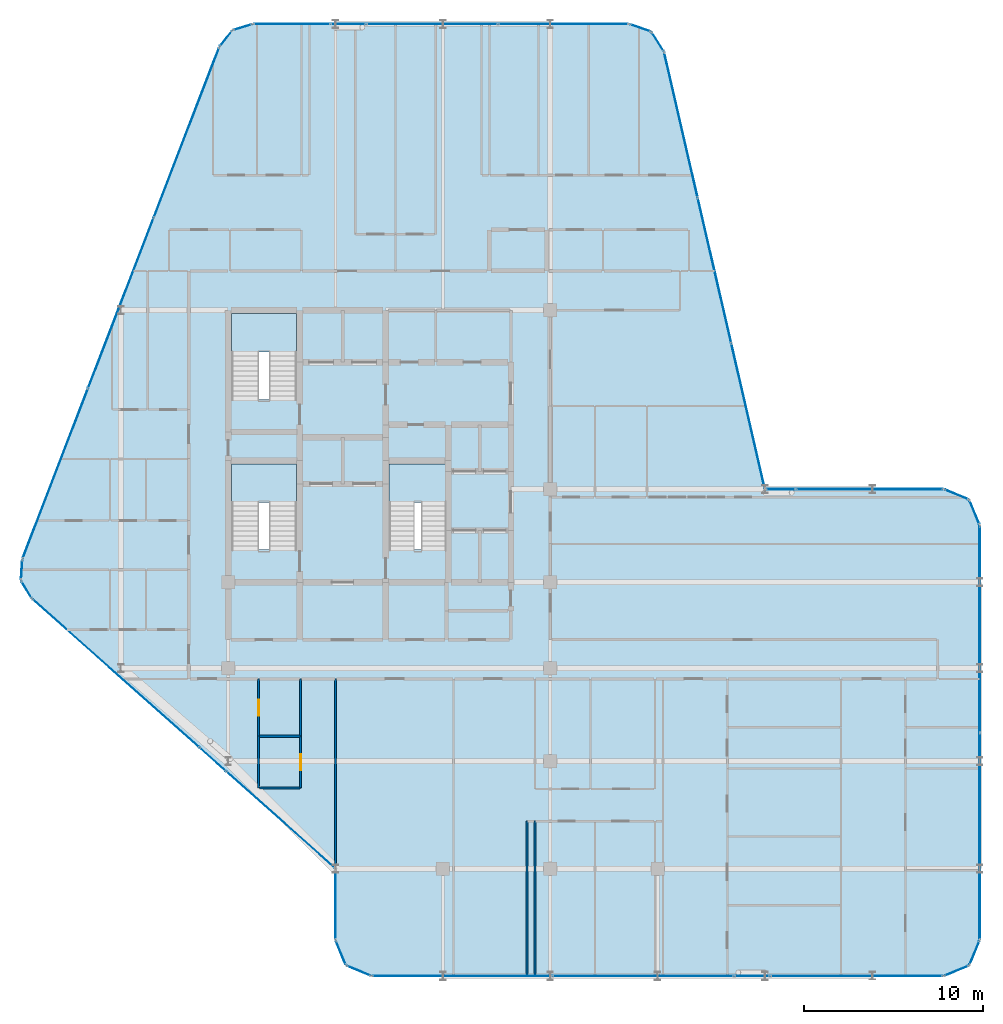
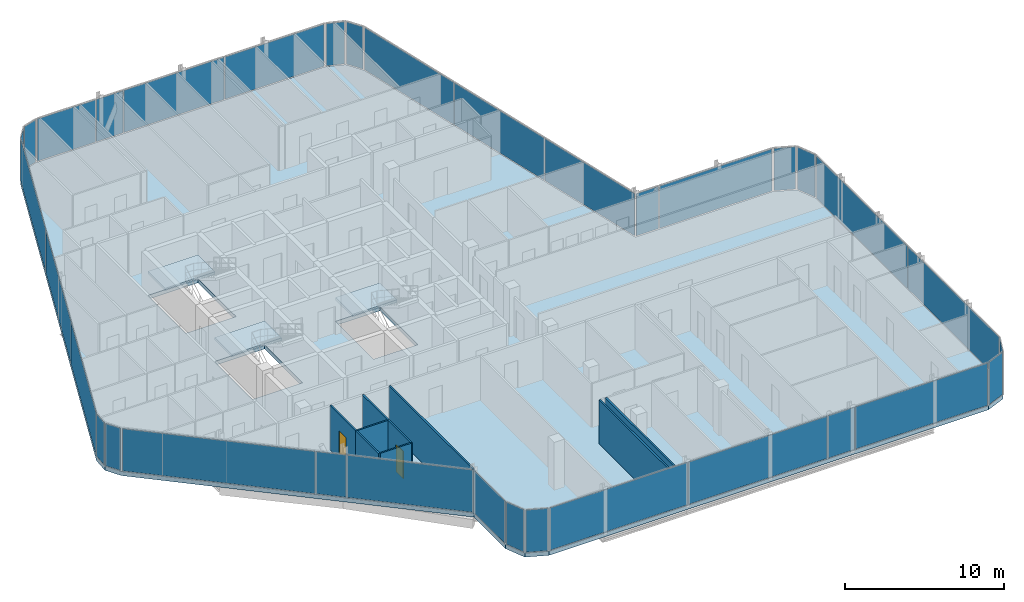
# One storey, part 22 of 29: 34 plates, 9 walls, 4 slabs, 2 doors, 2 openings, 30 elements without a shape of their own.
"""IFC4 building model written with IfcOpenShell, lengths in metres."""

from ifc_helpers import new_model, si_unit, direction, frame, frame_2d, origin, origin_2d, place, context, subcontext, project, spatial, polyline, rectangle, outline, extrude, material, layer, layer_set, type_object, element, fill, aggregate, save


model = new_model("IFC4")

# Units and contexts
model_context = context("Model", 3, precision=1e-05, world=origin(), true_north=direction((0.0, 1.0)))
body_context = subcontext(model_context, "Body", "Model", "MODEL_VIEW")
ifc_project = project(units=[si_unit("LENGTHUNIT", "METRE"), si_unit("AREAUNIT", "SQUARE_METRE"), si_unit("VOLUMEUNIT", "CUBIC_METRE"), si_unit("PLANEANGLEUNIT", "RADIAN"), si_unit("MASSUNIT", "GRAM", prefix="KILO")], contexts=[model_context])

# Site, building, storey
site_placement = place(None, origin())
site = spatial("IfcSite", under=ifc_project, at=site_placement, CompositionType="ELEMENT")
building_placement = place(site_placement, origin())
building = spatial("IfcBuilding", under=site, at=building_placement, Name="Keshet Zoharim Tower", CompositionType="ELEMENT")
storey_placement = place(building_placement, frame((0.0, 0.0, 206.89990234375)))
storey = spatial("IfcBuildingStorey", under=building, at=storey_placement, Name="L51", CompositionType="ELEMENT", Elevation=206.89990234375)

# Curtain wall, plate
ifc_material_1 = material(Name="Aluminium 6063-T6", Category="aluminium")
ifc_layer_1 = layer(ifc_material_1, 0.139892578125)
ifc_layer_set_1 = layer_set([ifc_layer_1], Name="Aluminium 6063-T6")
curtain_wall_type = type_object("IfcCurtainWallType", Name="CW-SYS-05", PredefinedType="NOTDEFINED", material=ifc_layer_set_1)
curtain_wall_1_placement = place(storey_placement, origin())
curtain_wall_1 = element("IfcCurtainWall", 1, at=curtain_wall_1_placement, inside=storey, type_object=curtain_wall_type, Name="L51 Unitised Curtain Wall 01", PredefinedType="NOTDEFINED")
ifc_material_2 = material(Name="Insulated Low-E Clear Glass", Category="glass")
ifc_layer_2 = layer(ifc_material_2, 0.031982421875)
ifc_layer_set_2 = layer_set([ifc_layer_2], Name="Insulated Low-E Clear Glass")
plate_type_1 = type_object("IfcPlateType", Name="CWP-02", PredefinedType="CURTAIN_PANEL", material=ifc_layer_set_2)
plate_1_placement = place(storey_placement, frame((55.70703125, 27.60693359375, 0.070068359375), z_axis=(0.0, 0.0, 1.0), x_axis=(0.92380975372, -0.382851849847, 0.0)))
plate_1 = element("IfcPlate", 2, at=plate_1_placement, type_object=plate_type_1, Name="CW-05 panel 1.1", PredefinedType="CURTAIN_PANEL", context=body_context, shape_type="SweptSolid", body=[
    extrude(rectangle(XDim=1.390625, YDim=0.031982421875, at=origin_2d()), origin(), (0.0, 0.0, 1.0), 3.25),
])
aggregate(curtain_wall_1, [plate_1])

curtain_wall_2_placement = place(storey_placement, origin())
curtain_wall_2 = element("IfcCurtainWall", 3, at=curtain_wall_2_placement, inside=storey, type_object=curtain_wall_type, Name="L51 Unitised Curtain Wall 02", PredefinedType="NOTDEFINED")
plate_2_placement = place(storey_placement, frame((56.70703125, 26.60693359375, 0.070068359375), z_axis=(0.0, 0.0, 1.0), x_axis=(0.382851849847, -0.92380975372, 0.0)))
plate_2 = element("IfcPlate", 4, at=plate_2_placement, type_object=plate_type_1, Name="CW-05 panel 1.1", PredefinedType="CURTAIN_PANEL", context=body_context, shape_type="SweptSolid", body=[
    extrude(rectangle(XDim=1.390625, YDim=0.031982421875, at=origin_2d()), origin(), (0.0, 0.0, 1.0), 3.25),
])
aggregate(curtain_wall_2, [plate_2])

# Curtain wall, plates
curtain_wall_3_placement = place(storey_placement, origin())
curtain_wall_3 = element("IfcCurtainWall", 5, at=curtain_wall_3_placement, inside=storey, type_object=curtain_wall_type, Name="L51 Unitised Curtain Wall 03", PredefinedType="NOTDEFINED")
plate_3_placement = place(storey_placement, frame((57.0, 20.08251953125, 0.070068359375), z_axis=(0.0, 0.0, 1.0), x_axis=(0.0, -1.0, 0.0)))
plate_3 = element("IfcPlate", 6, at=plate_3_placement, type_object=plate_type_1, Name="CW-05 panel 1.1", PredefinedType="CURTAIN_PANEL", context=body_context, shape_type="SweptSolid", body=[
    extrude(rectangle(XDim=11.4951171875, YDim=0.031982421875, at=origin_2d()), origin(), (0.0, 0.0, 1.0), 3.25),
])
plate_4_placement = place(storey_placement, frame((57.0, 8.517578125, 0.070068359375), z_axis=(0.0, 0.0, 1.0), x_axis=(0.0, -1.0, 0.0)))
plate_4 = element("IfcPlate", 7, at=plate_4_placement, type_object=plate_type_1, Name="CW-05 panel 2.1", PredefinedType="CURTAIN_PANEL", context=body_context, shape_type="SweptSolid", body=[
    extrude(rectangle(XDim=11.4951171875, YDim=0.031982421875, at=origin_2d()), origin(), (0.0, 0.0, 1.0), 3.25),
])
aggregate(curtain_wall_3, [plate_3, plate_4])

# Curtain wall, plate
curtain_wall_4_placement = place(storey_placement, origin())
curtain_wall_4 = element("IfcCurtainWall", 8, at=curtain_wall_4_placement, inside=storey, type_object=curtain_wall_type, Name="L51 Unitised Curtain Wall 04", PredefinedType="NOTDEFINED")
plate_5_placement = place(storey_placement, frame((56.70703125, 1.992919921875, 0.070068359375), z_axis=(0.0, 0.0, 1.0), x_axis=(-0.382851849847, -0.92380975372, 0.0)))
plate_5 = element("IfcPlate", 9, at=plate_5_placement, type_object=plate_type_1, Name="CW-05 panel 1.1", PredefinedType="CURTAIN_PANEL", context=body_context, shape_type="SweptSolid", body=[
    extrude(rectangle(XDim=1.390625, YDim=0.031982421875, at=origin_2d()), origin(), (0.0, 0.0, 1.0), 3.25),
])
aggregate(curtain_wall_4, [plate_5])

curtain_wall_5_placement = place(storey_placement, origin())
curtain_wall_5 = element("IfcCurtainWall", 10, at=curtain_wall_5_placement, inside=storey, type_object=curtain_wall_type, Name="L51 Unitised Curtain Wall 05", PredefinedType="NOTDEFINED")
plate_6_placement = place(storey_placement, frame((55.70703125, 0.992919921875, 0.070068359375), z_axis=(0.0, 0.0, 1.0), x_axis=(-0.92380975372, -0.382851849847, 0.0)))
plate_6 = element("IfcPlate", 11, at=plate_6_placement, type_object=plate_type_1, Name="CW-05 panel 1.1", PredefinedType="CURTAIN_PANEL", context=body_context, shape_type="SweptSolid", body=[
    extrude(rectangle(XDim=1.390625, YDim=0.031982421875, at=origin_2d()), origin(), (0.0, 0.0, 1.0), 3.25),
])
aggregate(curtain_wall_5, [plate_6])

curtain_wall_6_placement = place(storey_placement, origin())
curtain_wall_6 = element("IfcCurtainWall", 12, at=curtain_wall_6_placement, inside=storey, type_object=curtain_wall_type, Name="L51 Unitised Curtain Wall 06", PredefinedType="NOTDEFINED")
plate_7_placement = place(storey_placement, frame((50.1240234375, 0.699951171875, 0.070068359375), z_axis=(0.0, 0.0, 1.0), x_axis=(-1.0, 0.0, 0.0)))
plate_7 = element("IfcPlate", 13, at=plate_7_placement, type_object=plate_type_1, Name="CW-05 panel 1.1", PredefinedType="CURTAIN_PANEL", context=body_context, shape_type="SweptSolid", body=[
    extrude(rectangle(XDim=9.61181640625, YDim=0.031982421875, at=origin_2d()), origin(), (0.0, 0.0, 1.0), 3.25),
])
aggregate(curtain_wall_6, [plate_7])

# Curtain wall, plates
curtain_wall_7_placement = place(storey_placement, origin())
curtain_wall_7 = element("IfcCurtainWall", 14, at=curtain_wall_7_placement, inside=storey, type_object=curtain_wall_type, Name="L51 Unitised Curtain Wall 06 Part 3", PredefinedType="NOTDEFINED")
plate_8_placement = place(storey_placement, frame((38.20654296875, 0.699951171875, 0.070068359375), z_axis=(0.0, 0.0, 1.0), x_axis=(-1.0, 0.0, 0.0)))
plate_8 = element("IfcPlate", 15, at=plate_8_placement, type_object=plate_type_1, Name="CW-05 panel 1.1", PredefinedType="CURTAIN_PANEL", context=body_context, shape_type="SweptSolid", body=[
    extrude(rectangle(XDim=10.091064453125, YDim=0.031982421875, at=origin_2d()), origin(), (0.0, 0.0, 1.0), 3.25),
])
plate_9_placement = place(storey_placement, frame((28.08056640625, 0.699951171875, 0.070068359375), z_axis=(0.0, 0.0, 1.0), x_axis=(-1.0, 0.0, 0.0)))
plate_9 = element("IfcPlate", 16, at=plate_9_placement, type_object=plate_type_1, Name="CW-05 panel 2.1", PredefinedType="CURTAIN_PANEL", context=body_context, shape_type="SweptSolid", body=[
    extrude(rectangle(XDim=10.02099609375, YDim=0.031982421875, at=origin_2d()), origin(), (0.0, 0.0, 1.0), 3.25),
])
aggregate(curtain_wall_7, [plate_8, plate_9])

# Curtain wall, plate
curtain_wall_8_placement = place(storey_placement, origin())
curtain_wall_8 = element("IfcCurtainWall", 17, at=curtain_wall_8_placement, inside=storey, type_object=curtain_wall_type, Name="L51 Unitised Curtain Wall 07", PredefinedType="NOTDEFINED")
plate_10_placement = place(storey_placement, frame((22.29296875, 0.992919921875, 0.070068359375), z_axis=(0.0, 0.0, 1.0), x_axis=(-0.92380975372, 0.382851849847, 0.0)))
plate_10 = element("IfcPlate", 18, at=plate_10_placement, type_object=plate_type_1, Name="CW-05 panel 1.1", PredefinedType="CURTAIN_PANEL", context=body_context, shape_type="SweptSolid", body=[
    extrude(rectangle(XDim=1.390625, YDim=0.031982421875, at=origin_2d()), origin(), (0.0, 0.0, 1.0), 3.25),
])
aggregate(curtain_wall_8, [plate_10])

curtain_wall_9_placement = place(storey_placement, origin())
curtain_wall_9 = element("IfcCurtainWall", 19, at=curtain_wall_9_placement, inside=storey, type_object=curtain_wall_type, Name="L51 Unitised Curtain Wall 08", PredefinedType="NOTDEFINED")
plate_11_placement = place(storey_placement, frame((21.29296875, 1.992919921875, 0.070068359375), z_axis=(0.0, 0.0, 1.0), x_axis=(-0.382851849847, 0.92380975372, 0.0)))
plate_11 = element("IfcPlate", 20, at=plate_11_placement, type_object=plate_type_1, Name="CW-05 panel 1.1", PredefinedType="CURTAIN_PANEL", context=body_context, shape_type="SweptSolid", body=[
    extrude(rectangle(XDim=1.390625, YDim=0.031982421875, at=origin_2d()), origin(), (0.0, 0.0, 1.0), 3.25),
])
aggregate(curtain_wall_9, [plate_11])

curtain_wall_10_placement = place(storey_placement, origin())
curtain_wall_10 = element("IfcCurtainWall", 21, at=curtain_wall_10_placement, inside=storey, type_object=curtain_wall_type, Name="L51 Unitised Curtain Wall 09", PredefinedType="NOTDEFINED")
plate_12_placement = place(storey_placement, frame((21.0, 4.699951171875, 0.070068359375), z_axis=(0.0, 0.0, 1.0), x_axis=(0.0, 1.0, 0.0)))
plate_12 = element("IfcPlate", 22, at=plate_12_placement, type_object=plate_type_1, Name="CW-05 panel 1.1", PredefinedType="CURTAIN_PANEL", context=body_context, shape_type="SweptSolid", body=[
    extrude(rectangle(XDim=3.860107421875, YDim=0.031982421875, at=origin_2d()), origin(), (0.0, 0.0, 1.0), 3.25),
])
aggregate(curtain_wall_10, [plate_12])

curtain_wall_11_placement = place(storey_placement, origin())
curtain_wall_11 = element("IfcCurtainWall", 23, at=curtain_wall_11_placement, inside=storey, type_object=curtain_wall_type, Name="L51 Unitised Curtain Wall 10", PredefinedType="NOTDEFINED")
plate_13_placement = place(storey_placement, frame((17.92724609375, 9.431396484375, 0.070068359375), z_axis=(0.0, 0.0, 1.0), x_axis=(-0.74740596379, 0.664367613066, 0.0)))
plate_13 = element("IfcPlate", 24, at=plate_13_placement, type_object=plate_type_1, Name="CW-05 panel 1.1", PredefinedType="CURTAIN_PANEL", context=body_context, shape_type="SweptSolid", body=[
    extrude(rectangle(XDim=8.082763671875, YDim=0.031982421875, at=origin_2d()), origin(), (0.0, 0.0, 1.0), 3.25),
])
aggregate(curtain_wall_11, [plate_13])

curtain_wall_12_placement = place(storey_placement, origin())
curtain_wall_12 = element("IfcCurtainWall", 25, at=curtain_wall_12_placement, inside=storey, type_object=curtain_wall_type, Name="L51 Unitised Curtain Wall 10 Part 3", PredefinedType="NOTDEFINED")
plate_14_placement = place(storey_placement, frame((8.724853515625, 17.611328125, 0.070068359375), z_axis=(0.0, 0.0, 1.0), x_axis=(-0.747406666066, 0.664366823013, 0.0)))
plate_14 = element("IfcPlate", 26, at=plate_14_placement, type_object=plate_type_1, Name="CW-05 panel 1.1", PredefinedType="CURTAIN_PANEL", context=body_context, shape_type="SweptSolid", body=[
    extrude(rectangle(XDim=12.40966796875, YDim=0.031982421875, at=origin_2d()), origin(), (0.0, 0.0, 1.0), 3.25),
])
aggregate(curtain_wall_12, [plate_14])

curtain_wall_13_placement = place(storey_placement, origin())
curtain_wall_13 = element("IfcCurtainWall", 27, at=curtain_wall_13_placement, inside=storey, type_object=curtain_wall_type, Name="L51 Unitised Curtain Wall 11", PredefinedType="NOTDEFINED")
plate_15_placement = place(storey_placement, frame((3.7275390625, 22.291015625, 0.070068359375), z_axis=(0.0, 0.0, 1.0), x_axis=(-0.515604947933, 0.856826433805, 0.0)))
plate_15 = element("IfcPlate", 28, at=plate_15_placement, type_object=plate_type_1, Name="CW-05 panel 1.1", PredefinedType="CURTAIN_PANEL", context=body_context, shape_type="SweptSolid", body=[
    extrude(rectangle(XDim=1.052734375, YDim=0.031982421875, at=origin_2d()), origin(), (0.0, 0.0, 1.0), 3.25),
])
aggregate(curtain_wall_13, [plate_15])

curtain_wall_14_placement = place(storey_placement, origin())
curtain_wall_14 = element("IfcCurtainWall", 29, at=curtain_wall_14_placement, inside=storey, type_object=curtain_wall_type, Name="L51 Unitised Curtain Wall 12", PredefinedType="NOTDEFINED")
plate_16_placement = place(storey_placement, frame((3.45849609375, 23.3974609375, 0.070068359375), z_axis=(0.0, 0.0, 1.0), x_axis=(0.064516859374, 0.997916617186, 0.0)))
plate_16 = element("IfcPlate", 30, at=plate_16_placement, type_object=plate_type_1, Name="CW-05 panel 1.1", PredefinedType="CURTAIN_PANEL", context=body_context, shape_type="SweptSolid", body=[
    extrude(rectangle(XDim=1.053466796875, YDim=0.031982421875, at=origin_2d()), origin(), (0.0, 0.0, 1.0), 3.25),
])
aggregate(curtain_wall_14, [plate_16])

# Curtain wall, plates
curtain_wall_15_placement = place(storey_placement, origin())
curtain_wall_15 = element("IfcCurtainWall", 31, at=curtain_wall_15_placement, inside=storey, type_object=curtain_wall_type, Name="L51 Unitised Curtain Wall 13", PredefinedType="NOTDEFINED")
plate_17_placement = place(storey_placement, frame((5.33837890625, 28.7802734375, 0.070068359375), z_axis=(0.0, 0.0, 1.0), x_axis=(0.358990003907, 0.933341404361, 0.0)))
plate_17 = element("IfcPlate", 32, at=plate_17_placement, type_object=plate_type_1, Name="CW-05 panel 1.1", PredefinedType="CURTAIN_PANEL", context=body_context, shape_type="SweptSolid", body=[
    extrude(rectangle(XDim=10.1181640625, YDim=0.031982421875, at=origin_2d()), origin(), (0.0, 0.0, 1.0), 3.25),
])
plate_18_placement = place(storey_placement, frame((9.001953125, 38.305419921875, 0.070068359375), z_axis=(0.0, 0.0, 1.0), x_axis=(0.358990003907, 0.933341404361, 0.0)))
plate_18 = element("IfcPlate", 33, at=plate_18_placement, type_object=plate_type_1, Name="CW-05 panel 2.1", PredefinedType="CURTAIN_PANEL", context=body_context, shape_type="SweptSolid", body=[
    extrude(rectangle(XDim=10.153076171875, YDim=0.031982421875, at=origin_2d()), origin(), (0.0, 0.0, 1.0), 3.25),
])
plate_19_placement = place(storey_placement, frame((12.665771484375, 47.830810546875, 0.070068359375), z_axis=(0.0, 0.0, 1.0), x_axis=(0.358990003907, 0.933341404361, 0.0)))
plate_19 = element("IfcPlate", 34, at=plate_19_placement, type_object=plate_type_1, Name="CW-05 panel 3.1", PredefinedType="CURTAIN_PANEL", context=body_context, shape_type="SweptSolid", body=[
    extrude(rectangle(XDim=10.1181640625, YDim=0.031982421875, at=origin_2d()), origin(), (0.0, 0.0, 1.0), 3.25),
])
aggregate(curtain_wall_15, [plate_17, plate_18, plate_19])

# Curtain wall, plate
curtain_wall_16_placement = place(storey_placement, origin())
curtain_wall_16 = element("IfcCurtainWall", 35, at=curtain_wall_16_placement, inside=storey, type_object=curtain_wall_type, Name="L51 Unitised Curtain Wall 14", PredefinedType="NOTDEFINED")
plate_20_placement = place(storey_placement, frame((14.8740234375, 53.08349609375, 0.070068359375), z_axis=(0.0, 0.0, 1.0), x_axis=(0.619124525989, 0.785292825205, 0.0)))
plate_20 = element("IfcPlate", 36, at=plate_20_placement, type_object=plate_type_1, Name="CW-05 panel 1.1", PredefinedType="CURTAIN_PANEL", context=body_context, shape_type="SweptSolid", body=[
    extrude(rectangle(XDim=1.045654296875, YDim=0.031982421875, at=origin_2d()), origin(), (0.0, 0.0, 1.0), 3.25),
])
aggregate(curtain_wall_16, [plate_20])

curtain_wall_17_placement = place(storey_placement, origin())
curtain_wall_17 = element("IfcCurtainWall", 37, at=curtain_wall_17_placement, inside=storey, type_object=curtain_wall_type, Name="L51 Unitised Curtain Wall 15", PredefinedType="NOTDEFINED")
plate_21_placement = place(storey_placement, frame((15.8076171875, 53.724609375, 0.070068359375), z_axis=(0.0, 0.0, 1.0), x_axis=(0.955212151288, 0.295921857984, 0.0)))
plate_21 = element("IfcPlate", 38, at=plate_21_placement, type_object=plate_type_1, Name="CW-05 panel 1.1", PredefinedType="CURTAIN_PANEL", context=body_context, shape_type="SweptSolid", body=[
    extrude(rectangle(XDim=1.046142578125, YDim=0.031982421875, at=origin_2d()), origin(), (0.0, 0.0, 1.0), 3.25),
])
aggregate(curtain_wall_17, [plate_21])

curtain_wall_18_placement = place(storey_placement, origin())
curtain_wall_18 = element("IfcCurtainWall", 39, at=curtain_wall_18_placement, inside=storey, type_object=curtain_wall_type, Name="L51 Unitised Curtain Wall 16", PredefinedType="NOTDEFINED")
plate_22_placement = place(storey_placement, frame((18.56298828125, 53.89990234375, 0.070068359375), z_axis=(0.0, 0.0, 1.0), x_axis=(1.0, 0.0, 0.0)))
plate_22 = element("IfcPlate", 40, at=plate_22_placement, type_object=plate_type_1, Name="CW-05 panel 1.1", PredefinedType="CURTAIN_PANEL", context=body_context, shape_type="SweptSolid", body=[
    extrude(rectangle(XDim=4.23779296875, YDim=0.031982421875, at=origin_2d()), origin(), (0.0, 0.0, 1.0), 3.25),
])
aggregate(curtain_wall_18, [plate_22])

# Curtain wall, plates
curtain_wall_19_placement = place(storey_placement, origin())
curtain_wall_19 = element("IfcCurtainWall", 41, at=curtain_wall_19_placement, inside=storey, type_object=curtain_wall_type, Name="L51 Unitised Curtain Wall 16 Part 3", PredefinedType="NOTDEFINED")
plate_23_placement = place(storey_placement, frame((26.395751953125, 53.89990234375, 0.070068359375), z_axis=(0.0, 0.0, 1.0), x_axis=(1.0, 0.0, 0.0)))
plate_23 = element("IfcPlate", 42, at=plate_23_placement, type_object=plate_type_1, Name="CW-05 panel 1.1", PredefinedType="CURTAIN_PANEL", context=body_context, shape_type="SweptSolid", body=[
    extrude(rectangle(XDim=7.29541015625, YDim=0.031982421875, at=origin_2d()), origin(), (0.0, 0.0, 1.0), 3.25),
])
plate_24_placement = place(storey_placement, frame((33.726318359375, 53.89990234375, 0.070068359375), z_axis=(0.0, 0.0, 1.0), x_axis=(1.0, 0.0, 0.0)))
plate_24 = element("IfcPlate", 43, at=plate_24_placement, type_object=plate_type_1, Name="CW-05 panel 2.1", PredefinedType="CURTAIN_PANEL", context=body_context, shape_type="SweptSolid", body=[
    extrude(rectangle(XDim=7.225341796875, YDim=0.031982421875, at=origin_2d()), origin(), (0.0, 0.0, 1.0), 3.25),
])
aggregate(curtain_wall_19, [plate_23, plate_24])

# Curtain wall, plate
curtain_wall_20_placement = place(storey_placement, origin())
curtain_wall_20 = element("IfcCurtainWall", 44, at=curtain_wall_20_placement, inside=storey, type_object=curtain_wall_type, Name="L51 Unitised Curtain Wall 17", PredefinedType="NOTDEFINED")
plate_25_placement = place(storey_placement, frame((38.031494140625, 53.6826171875, 0.070068359375), z_axis=(0.0, 0.0, 1.0), x_axis=(0.944035542119, -0.329843743636, 0.0)))
plate_25 = element("IfcPlate", 45, at=plate_25_placement, type_object=plate_type_1, Name="CW-05 panel 1.1", PredefinedType="CURTAIN_PANEL", context=body_context, shape_type="SweptSolid", body=[
    extrude(rectangle(XDim=1.1787109375, YDim=0.031982421875, at=origin_2d()), origin(), (0.0, 0.0, 1.0), 3.25),
])
aggregate(curtain_wall_20, [plate_25])

curtain_wall_21_placement = place(storey_placement, origin())
curtain_wall_21 = element("IfcCurtainWall", 46, at=curtain_wall_21_placement, inside=storey, type_object=curtain_wall_type, Name="L51 Unitised Curtain Wall 18", PredefinedType="NOTDEFINED")
plate_26_placement = place(storey_placement, frame((39.006103515625, 52.907470703125, 0.070068359375), z_axis=(0.0, 0.0, 1.0), x_axis=(0.533878858502, -0.845560976183, 0.0)))
plate_26 = element("IfcPlate", 47, at=plate_26_placement, type_object=plate_type_1, Name="CW-05 panel 1.1", PredefinedType="CURTAIN_PANEL", context=body_context, shape_type="SweptSolid", body=[
    extrude(rectangle(XDim=1.1787109375, YDim=0.031982421875, at=origin_2d()), origin(), (0.0, 0.0, 1.0), 3.25),
])
aggregate(curtain_wall_21, [plate_26])

# Curtain wall, plates
curtain_wall_22_placement = place(storey_placement, origin())
curtain_wall_22 = element("IfcCurtainWall", 48, at=curtain_wall_22_placement, inside=storey, type_object=curtain_wall_type, Name="L51 Unitised Curtain Wall 19", PredefinedType="NOTDEFINED")
plate_27_placement = place(storey_placement, frame((40.30224609375, 48.258056640625, 0.070068359375), z_axis=(0.0, 0.0, 1.0), x_axis=(0.224847864369, -0.974393882313, 0.0)))
plate_27 = element("IfcPlate", 49, at=plate_27_placement, type_object=plate_type_1, Name="CW-05 panel 1.1", PredefinedType="CURTAIN_PANEL", context=body_context, shape_type="SweptSolid", body=[
    extrude(rectangle(XDim=8.25927734375, YDim=0.031982421875, at=origin_2d()), origin(), (0.0, 0.0, 1.0), 3.25),
])
plate_28_placement = place(storey_placement, frame((42.178955078125, 40.125, 0.070068359375), z_axis=(0.0, 0.0, 1.0), x_axis=(0.224847864369, -0.974393882313, 0.0)))
plate_28 = element("IfcPlate", 50, at=plate_28_placement, type_object=plate_type_1, Name="CW-05 panel 2.1", PredefinedType="CURTAIN_PANEL", context=body_context, shape_type="SweptSolid", body=[
    extrude(rectangle(XDim=8.294189453125, YDim=0.031982421875, at=origin_2d()), origin(), (0.0, 0.0, 1.0), 3.25),
])
plate_29_placement = place(storey_placement, frame((44.0556640625, 31.991943359375, 0.070068359375), z_axis=(0.0, 0.0, 1.0), x_axis=(0.224847864369, -0.974393882313, 0.0)))
plate_29 = element("IfcPlate", 51, at=plate_29_placement, type_object=plate_type_1, Name="CW-05 panel 3.1", PredefinedType="CURTAIN_PANEL", context=body_context, shape_type="SweptSolid", body=[
    extrude(rectangle(XDim=8.25927734375, YDim=0.031982421875, at=origin_2d()), origin(), (0.0, 0.0, 1.0), 3.25),
])
aggregate(curtain_wall_22, [plate_27, plate_28, plate_29])

# Curtain wall, plate
curtain_wall_23_placement = place(storey_placement, origin())
curtain_wall_23 = element("IfcCurtainWall", 52, at=curtain_wall_23_placement, inside=storey, type_object=curtain_wall_type, Name="L51 Unitised Curtain Wall 20 Part 2", PredefinedType="NOTDEFINED")
plate_30_placement = place(storey_placement, frame((50.839111328125, 27.89990234375, 0.070068359375), z_axis=(0.0, 0.0, 1.0), x_axis=(1.0, 0.0, 0.0)))
plate_30 = element("IfcPlate", 53, at=plate_30_placement, type_object=plate_type_1, Name="CW-05 panel 1.1", PredefinedType="CURTAIN_PANEL", context=body_context, shape_type="SweptSolid", body=[
    extrude(rectangle(XDim=8.181884765625, YDim=0.031982421875, at=origin_2d()), origin(), (0.0, 0.0, 1.0), 3.25),
])
aggregate(curtain_wall_23, [plate_30])

curtain_wall_24_placement = place(storey_placement, origin())
curtain_wall_24 = element("IfcCurtainWall", 54, at=curtain_wall_24_placement, inside=storey, type_object=curtain_wall_type, Name="L51 Unitised Curtain Wall 06 Part 2", PredefinedType="NOTDEFINED")
ifc_material_3 = material(Name="Insulated Aluminium Spandrel Panel", Category="aluminium")
ifc_layer_3 = layer(ifc_material_3, 0.031982421875)
ifc_layer_set_3 = layer_set([ifc_layer_3], Name="Insulated Aluminium Spandrel Panel")
plate_type_2 = type_object("IfcPlateType", Name="CWP-05", PredefinedType="CURTAIN_PANEL", material=ifc_layer_set_3)
plate_31_placement = place(storey_placement, frame((44.284912109375, 0.699951171875, 0.070068359375), z_axis=(0.0, 0.0, 1.0), x_axis=(-1.0, 0.0, 0.0)))
plate_31 = element("IfcPlate", 55, at=plate_31_placement, type_object=plate_type_2, Name="CW-05 spandrel panel 1.1", PredefinedType="CURTAIN_PANEL", context=body_context, shape_type="SweptSolid", body=[
    extrude(rectangle(XDim=1.92626953125, YDim=0.031982421875, at=origin_2d()), origin(), (0.0, 0.0, 1.0), 3.25),
])
aggregate(curtain_wall_24, [plate_31])

curtain_wall_25_placement = place(storey_placement, origin())
curtain_wall_25 = element("IfcCurtainWall", 56, at=curtain_wall_25_placement, inside=storey, type_object=curtain_wall_type, Name="L51 Unitised Curtain Wall 10 Part 2", PredefinedType="NOTDEFINED")
plate_32_placement = place(storey_placement, frame((14.134521484375, 12.802734375, 0.070068359375), z_axis=(0.0, 0.0, 1.0), x_axis=(-0.747439721297, 0.664329634314, 0.0)))
plate_32 = element("IfcPlate", 57, at=plate_32_placement, type_object=plate_type_2, Name="CW-05 spandrel panel 1.1", PredefinedType="CURTAIN_PANEL", context=body_context, shape_type="SweptSolid", body=[
    extrude(rectangle(XDim=1.92626953125, YDim=0.031982421875, at=origin_2d()), origin(), (0.0, 0.0, 1.0), 3.25),
])
aggregate(curtain_wall_25, [plate_32])

curtain_wall_26_placement = place(storey_placement, origin())
curtain_wall_26 = element("IfcCurtainWall", 58, at=curtain_wall_26_placement, inside=storey, type_object=curtain_wall_type, Name="L51 Unitised Curtain Wall 16 Part 2", PredefinedType="NOTDEFINED")
plate_33_placement = place(storey_placement, frame((21.715087890625, 53.89990234375, 0.070068359375), z_axis=(0.0, 0.0, 1.0), x_axis=(1.0, 0.0, 0.0)))
plate_33 = element("IfcPlate", 59, at=plate_33_placement, type_object=plate_type_2, Name="CW-05 spandrel panel 1.1", PredefinedType="CURTAIN_PANEL", context=body_context, shape_type="SweptSolid", body=[
    extrude(rectangle(XDim=1.92626953125, YDim=0.031982421875, at=origin_2d()), origin(), (0.0, 0.0, 1.0), 3.25),
])
aggregate(curtain_wall_26, [plate_33])

curtain_wall_27_placement = place(storey_placement, origin())
curtain_wall_27 = element("IfcCurtainWall", 60, at=curtain_wall_27_placement, inside=storey, type_object=curtain_wall_type, Name="L51 Unitised Curtain Wall 20", PredefinedType="NOTDEFINED")
plate_34_placement = place(storey_placement, frame((45.8740234375, 27.89990234375, 0.070068359375), z_axis=(0.0, 0.0, 1.0), x_axis=(1.0, 0.0, 0.0)))
plate_34 = element("IfcPlate", 61, at=plate_34_placement, type_object=plate_type_2, Name="CW-05 spandrel panel 1.1", PredefinedType="CURTAIN_PANEL", context=body_context, shape_type="SweptSolid", body=[
    extrude(rectangle(XDim=1.608154296875, YDim=0.031982421875, at=origin_2d()), origin(), (0.0, 0.0, 1.0), 3.25),
])
aggregate(curtain_wall_27, [plate_34])

# Stair, slab
ifc_material_4 = material(Name="Concrete C50/60", Category="concrete")
stair_type = type_object("IfcStairType", Name="STR-EXIT-135", PredefinedType="HALF_TURN_STAIR", material=ifc_material_4)
stair_1_placement = place(storey_placement, origin())
stair_1 = element("IfcStair", 62, at=stair_1_placement, inside=storey, type_object=stair_type, Name="L51 Enclosed Exit Stair ST-01", PredefinedType="HALF_TURN_STAIR")
ifc_layer_4 = layer(ifc_material_4, 0.199951171875)
ifc_layer_set_4 = layer_set([ifc_layer_4], Name="Concrete C50/60")
slab_type_1 = type_object("IfcSlabType", Name="SLB-LND-200", PredefinedType="LANDING", material=ifc_layer_set_4)
slab_1_placement = place(storey_placement, frame((0.0, 0.0, 1.650146484375)))
slab_1 = element("IfcSlab", 63, at=slab_1_placement, type_object=slab_type_1, Name="ST-01 landing 1", PredefinedType="LANDING", context=body_context, shape_type="SweptSolid", body=[
    extrude(outline(polyline([(15.179931640625, 27.159912109375), (18.820068359375, 27.159912109375), (18.820068359375, 29.320068359375), (15.179931640625, 29.320068359375), (15.179931640625, 27.159912109375)])), origin(), (0.0, 0.0, 1.0), 0.199951171875),
])
aggregate(stair_1, [slab_1])

stair_2_placement = place(storey_placement, origin())
stair_2 = element("IfcStair", 64, at=stair_2_placement, inside=storey, type_object=stair_type, Name="L51 Enclosed Exit Stair ST-02", PredefinedType="HALF_TURN_STAIR")
slab_2_placement = place(storey_placement, frame((0.0, 0.0, 1.650146484375)))
slab_2 = element("IfcSlab", 65, at=slab_2_placement, type_object=slab_type_1, Name="ST-02 landing 1", PredefinedType="LANDING", context=body_context, shape_type="SweptSolid", body=[
    extrude(outline(polyline([(15.179931640625, 35.56005859375), (18.820068359375, 35.56005859375), (18.820068359375, 37.719970703125), (15.179931640625, 37.719970703125), (15.179931640625, 35.56005859375)])), origin(), (0.0, 0.0, 1.0), 0.199951171875),
])
aggregate(stair_2, [slab_2])

stair_3_placement = place(storey_placement, origin())
stair_3 = element("IfcStair", 66, at=stair_3_placement, inside=storey, type_object=stair_type, Name="L51 Enclosed Exit Stair ST-03", PredefinedType="HALF_TURN_STAIR")
slab_3_placement = place(storey_placement, frame((0.0, 0.0, 1.650146484375)))
slab_3 = element("IfcSlab", 67, at=slab_3_placement, type_object=slab_type_1, Name="ST-03 landing 1", PredefinedType="LANDING", context=body_context, shape_type="SweptSolid", body=[
    extrude(outline(polyline([(23.97998046875, 27.159912109375), (27.219970703125, 27.159912109375), (27.219970703125, 29.320068359375), (23.97998046875, 29.320068359375), (23.97998046875, 27.159912109375)])), origin(), (0.0, 0.0, 1.0), 0.199951171875),
])
aggregate(stair_3, [slab_3])

# Slab
ifc_layer_5 = layer(ifc_material_4, 0.31005859375)
ifc_layer_set_5 = layer_set([ifc_layer_5], Name="Concrete C50/60")
slab_type_2 = type_object("IfcSlabType", Name="SLB-UPP-240", PredefinedType="FLOOR", material=ifc_layer_set_5)
slab_4_placement = place(storey_placement, frame((0.0, 0.0, -0.309814453125)))
element("IfcSlab", 68, at=slab_4_placement, inside=storey, type_object=slab_type_2, Name="L51 Structural Floor Slab 1", PredefinedType="FLOOR", context=body_context, shape_type="SweptSolid", body=[
    extrude(outline(polyline([(55.0, 27.89990234375), (56.4140625, 27.31396484375), (57.0, 25.89990234375), (57.0, 2.699951171875), (56.4140625, 1.285888671875), (55.0, 0.699951171875), (23.0, 0.699951171875), (21.5859375, 1.285888671875), (21.0, 2.699951171875), (21.0, 6.699951171875), (4.034912109375, 21.780029296875), (3.419921875, 22.802001953125), (3.4970703125, 23.992919921875), (14.507080078125, 52.617919921875), (15.240966796875, 53.549072265625), (16.3740234375, 53.89990234375), (37.408935546875, 53.89990234375), (38.654052734375, 53.465087890625), (39.35791015625, 52.35009765625), (45.0, 27.89990234375), (55.0, 27.89990234375)]), holes=[polyline([(15.179931640625, 24.52001953125), (18.820068359375, 24.52001953125), (18.820068359375, 29.320068359375), (15.179931640625, 29.320068359375), (15.179931640625, 24.52001953125)]), polyline([(15.179931640625, 32.919921875), (18.820068359375, 32.919921875), (18.820068359375, 37.719970703125), (15.179931640625, 37.719970703125), (15.179931640625, 32.919921875)]), polyline([(23.97998046875, 24.52001953125), (27.219970703125, 24.52001953125), (27.219970703125, 29.320068359375), (23.97998046875, 29.320068359375), (23.97998046875, 24.52001953125)])]), origin(), (0.0, 0.0, 1.0), 0.309814453125),
])

# Wall, opening, door
ifc_material_5 = material(Name="Gypsum Plasterboard", Category="gypsum")
ifc_layer_6 = layer(ifc_material_5, 0.1201171875)
ifc_layer_set_6 = layer_set([ifc_layer_6], Name="Gypsum Plasterboard")
wall_type_1 = type_object("IfcWallType", Name="WL-PART-120", PredefinedType="PARTITIONING", material=ifc_layer_set_6)
wall_1_placement = place(storey_placement, frame((16.699951171875, 14.10009765625, 0.0), z_axis=(0.0, 0.0, 1.0), x_axis=(0.0, 1.0, 0.0)))
wall_1 = element("IfcWall", 69, at=wall_1_placement, inside=storey, type_object=wall_type_1, Name="L51 Interior Wall 022", PredefinedType="PARTITIONING", context=body_context, shape_type="SweptSolid", body=[
    extrude(rectangle(XDim=3.199951171875, YDim=0.1201171875, at=frame_2d((1.60009765625, 0.0))), origin(), (0.0, 0.0, 1.0), 3.39013671875),
])
opening_1_placement = place(wall_1_placement, frame((1.14990234375, 0.0, 0.0)))
opening_1 = element("IfcOpeningElement", 70, at=opening_1_placement, cuts=wall_1, Name="Opening D-IN90", PredefinedType="OPENING", context=body_context, shape_type="SweptSolid", body=[
    extrude(rectangle(XDim=0.89990234375, YDim=2.14990234375, at=frame_2d((0.449951171875, 1.074951171875))), frame((0.0, 0.070068359375, 0.0), z_axis=(0.0, -1.0, 0.0), x_axis=(1.0, 0.0, 0.0)), (0.0, 0.0, 1.0), 0.14013671875),
])
ifc_material_6 = material(Name="Hardwood Timber", Category="wood")
door_type_1 = type_object("IfcDoorType", Name="DR-INT-090", OperationType="NOTDEFINED", PredefinedType="DOOR", material=ifc_material_6)
door_1_placement = place(opening_1_placement, origin())
door_1 = element("IfcDoor", 71, at=door_1_placement, inside=storey, type_object=door_type_1, Name="Apartment 5101 Kitchenette Door", OperationType="SINGLE_SWING_LEFT", OverallHeight=2.14990234375, OverallWidth=0.89990234375, PredefinedType="DOOR", context=body_context, shape_type="SweptSolid", body=[
    extrude(rectangle(XDim=0.89990234375, YDim=2.14990234375, at=frame_2d((0.449951171875, 1.074951171875))), frame((0.0, 0.02490234375, 0.0), z_axis=(0.0, -1.0, 0.0), x_axis=(1.0, 0.0, 0.0)), (0.0, 0.0, 1.0), 0.050048828125),
])
fill(opening_1, door_1)

# Walls
wall_2_placement = place(storey_placement, frame((19.050048828125, 14.10009765625, 0.0), z_axis=(0.0, 0.0, 1.0), x_axis=(0.0, 1.0, 0.0)))
element("IfcWall", 72, at=wall_2_placement, inside=storey, type_object=wall_type_1, Name="L51 Interior Wall 029", PredefinedType="PARTITIONING", context=body_context, shape_type="SweptSolid", body=[
    extrude(rectangle(XDim=3.199951171875, YDim=0.1201171875, at=frame_2d((1.60009765625, 0.0))), origin(), (0.0, 0.0, 1.0), 3.39013671875),
])
wall_3_placement = place(storey_placement, frame((21.0, 6.7099609375, 0.0), z_axis=(0.0, 0.0, 1.0), x_axis=(0.0, 1.0, 0.0)))
element("IfcWall", 73, at=wall_3_placement, inside=storey, type_object=wall_type_1, Name="L51 Interior Wall 033", PredefinedType="PARTITIONING", context=body_context, shape_type="SweptSolid", body=[
    extrude(rectangle(XDim=10.590087890625, YDim=0.1201171875, at=frame_2d((5.294921875, 0.0))), origin(), (0.0, 0.0, 1.0), 3.39013671875),
])
for number, where, z_axis, x_axis, name in (
    (74, (31.699951171875, 0.7099609375, 0.0), (0.0, 0.0, 1.0), (0.0, 1.0, 0.0), "L51 Interior Wall 067"),
    (75, (32.14990234375, 0.7099609375, 0.0), (0.0, 0.0, 1.0), (0.0, 1.0, 0.0), "L51 Interior Wall 068"),
):
    element("IfcWall", number, at=place(storey_placement, frame(where, z_axis=z_axis, x_axis=x_axis)), inside=storey, type_object=wall_type_1, Name=name, PredefinedType="PARTITIONING", context=body_context, shape_type="SweptSolid", body=[
        extrude(rectangle(XDim=8.64013671875, YDim=0.1201171875, at=frame_2d((4.320068359375, 0.0))), origin(), (0.0, 0.0, 1.0), 3.39013671875),
    ])
ifc_layer_7 = layer(ifc_material_5, 0.1201171875)
ifc_layer_set_7 = layer_set([ifc_layer_7], Name="Gypsum Plasterboard")
wall_type_2 = type_object("IfcWallType", Name="WL-WET-120", PredefinedType="PARTITIONING", material=ifc_layer_set_7)
wall_4_placement = place(storey_placement, frame((16.699951171875, 11.199951171875, 0.0), z_axis=(0.0, 0.0, 1.0), x_axis=(0.0, 1.0, 0.0)))
element("IfcWall", 76, at=wall_4_placement, inside=storey, type_object=wall_type_2, Name="L51 Interior Wall 021", PredefinedType="PARTITIONING", context=body_context, shape_type="SweptSolid", body=[
    extrude(rectangle(XDim=2.900146484375, YDim=0.1201171875, at=frame_2d((1.4501953125, 0.0))), origin(), (0.0, 0.0, 1.0), 3.39013671875),
])

# Wall, opening, door
wall_5_placement = place(storey_placement, frame((19.050048828125, 11.199951171875, 0.0), z_axis=(0.0, 0.0, 1.0), x_axis=(0.0, 1.0, 0.0)))
wall_5 = element("IfcWall", 77, at=wall_5_placement, inside=storey, type_object=wall_type_2, Name="L51 Interior Wall 028", PredefinedType="PARTITIONING", context=body_context, shape_type="SweptSolid", body=[
    extrude(rectangle(XDim=2.900146484375, YDim=0.1201171875, at=frame_2d((1.4501953125, 0.0))), origin(), (0.0, 0.0, 1.0), 3.39013671875),
])
opening_2_placement = place(wall_5_placement, frame((1.0, 0.0, 0.0)))
opening_2 = element("IfcOpeningElement", 78, at=opening_2_placement, cuts=wall_5, Name="Opening D-WT90", PredefinedType="OPENING", context=body_context, shape_type="SweptSolid", body=[
    extrude(rectangle(XDim=0.89990234375, YDim=2.10009765625, at=frame_2d((0.449951171875, 1.050048828125))), frame((0.0, 0.070068359375, 0.0), z_axis=(0.0, -1.0, 0.0), x_axis=(1.0, 0.0, 0.0)), (0.0, 0.0, 1.0), 0.14013671875),
])
door_type_2 = type_object("IfcDoorType", Name="DR-WET-090", OperationType="NOTDEFINED", PredefinedType="DOOR", material=ifc_material_6)
door_2_placement = place(opening_2_placement, origin())
door_2 = element("IfcDoor", 79, at=door_2_placement, inside=storey, type_object=door_type_2, Name="Apartment 5101 Bathroom Door", OperationType="SINGLE_SWING_RIGHT", OverallHeight=2.10009765625, OverallWidth=0.89990234375, PredefinedType="DOOR", context=body_context, shape_type="SweptSolid", body=[
    extrude(rectangle(XDim=0.89990234375, YDim=2.10009765625, at=frame_2d((0.449951171875, 1.050048828125))), frame((0.0, 0.02490234375, 0.0), z_axis=(0.0, -1.0, 0.0), x_axis=(1.0, 0.0, 0.0)), (0.0, 0.0, 1.0), 0.050048828125),
])
fill(opening_2, door_2)

# Walls
for number, where, z_axis, x_axis, name in (
    (80, (16.7451171875, 11.199951171875, 0.0), (0.0, 0.0, 1.0), (1.0, 0.0, 0.0), "L51 Interior Wall 106"),
    (81, (16.7451171875, 14.10009765625, 0.0), (0.0, 0.0, 1.0), (1.0, 0.0, 0.0), "L51 Interior Wall 109"),
):
    element("IfcWall", number, at=place(storey_placement, frame(where, z_axis=z_axis, x_axis=x_axis)), inside=storey, type_object=wall_type_2, Name=name, PredefinedType="PARTITIONING", context=body_context, shape_type="SweptSolid", body=[
        extrude(rectangle(XDim=2.259765625, YDim=0.1201171875, at=frame_2d((1.1298828125, 0.0))), origin(), (0.0, 0.0, 1.0), 3.39013671875),
    ])

save(model, "model.ifc")
